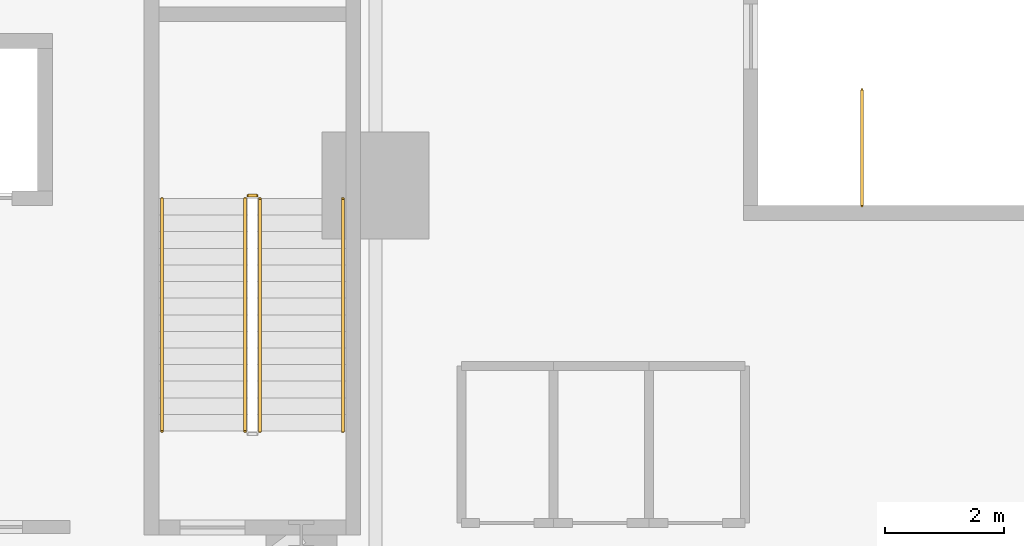
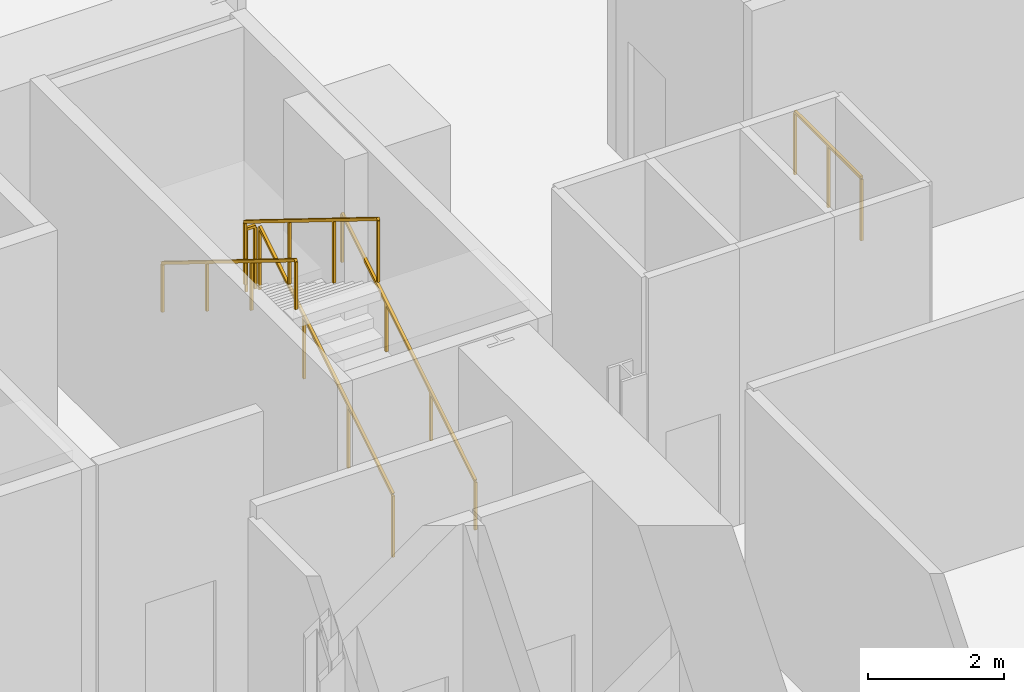
# One storey, part 13 of 13: 6 railings.
"""IFC4 building model written with IfcOpenShell, lengths in metres."""

from ifc_helpers import new_model, si_unit, direction, frame, origin, origin_2d, place, context, subcontext, project, spatial, rectangle, extrude, source, transform, mapped, material, type_object, element, save


model = new_model("IFC4")

# Units and contexts
model_context = context("Model", 3, precision=1e-05, world=origin(), true_north=direction((0.0, 1.0)))
body_context = subcontext(model_context, "Body", "Model", "MODEL_VIEW")
ifc_project = project(units=[si_unit("LENGTHUNIT", "METRE"), si_unit("AREAUNIT", "SQUARE_METRE"), si_unit("VOLUMEUNIT", "CUBIC_METRE"), si_unit("PLANEANGLEUNIT", "RADIAN"), si_unit("MASSUNIT", "GRAM", prefix="KILO")], contexts=[model_context])

# Site, building, storey
site_placement = place(None, origin())
site = spatial("IfcSite", under=ifc_project, at=site_placement, CompositionType="ELEMENT")
building_placement = place(site_placement, origin())
building = spatial("IfcBuilding", under=site, at=building_placement, Name="Vardaveli Station Tower", CompositionType="ELEMENT")
storey_placement = place(building_placement, frame((0.0, 0.0, 22.39990234375)))
storey = spatial("IfcBuildingStorey", under=building, at=storey_placement, Name="L05", CompositionType="ELEMENT", Elevation=22.39990234375)

# Railings
ifc_material = material(Name="Brushed AISI 316 stainless steel", Category="steel")
railing_type_1 = type_object("IfcRailingType", Name="RL-GUARD-1150", PredefinedType="GUARDRAIL", material=ifc_material)
shared_shape_1 = source(origin(), body_context, "Body", "SweptSolid", [
    extrude(rectangle(XDim=0.048095703125, YDim=0.048095703125, at=origin_2d()), frame((0.0, 0.0, 1.1259765625), z_axis=(-1.0, 0.0, 0.0), x_axis=(0.0, -1.0, 0.0)), (0.0, 0.0, 1.0), 0.14990234375),
    extrude(rectangle(XDim=0.0419921875, YDim=0.0419921875, at=origin_2d()), origin(), (0.0, 0.0, 1.0), 1.101806640625),
    extrude(rectangle(XDim=0.0419921875, YDim=0.0419921875, at=origin_2d()), frame((-0.14990234375, 0.0, 0.0)), (0.0, 0.0, 1.0), 1.101806640625),
])
railing_1_placement = place(storey_placement, frame((45.75, 36.3701171875, 2.60009765625)))
element("IfcRailing", 1, at=railing_1_placement, inside=storey, type_object=railing_type_1, Name="L05 ST-3 stair guard 2", PredefinedType="GUARDRAIL", context=body_context, shape_type="MappedRepresentation", body=[
    mapped(shared_shape_1, transform((0.0, 0.0, 0.0), scale=1.0)),
])
shared_shape_2 = source(origin(), body_context, "Body", "SweptSolid", [
    extrude(rectangle(XDim=0.048095703125, YDim=0.048095703125, at=origin_2d()), frame((0.0, 0.0, 1.1259765625), z_axis=(0.0, 0.850266275192, 0.526352791643), x_axis=(-1.0, 0.0, 0.0)), (0.0, 0.0, 1.0), 4.610595703125),
    extrude(rectangle(XDim=0.0419921875, YDim=0.0419921875, at=origin_2d()), origin(), (0.0, 0.0, 1.0), 1.101806640625),
    extrude(rectangle(XDim=0.0419921875, YDim=0.0419921875, at=origin_2d()), frame((0.0, 1.306640625, 0.808837890625)), (0.0, 0.0, 1.0), 1.101806640625),
    extrude(rectangle(XDim=0.0419921875, YDim=0.0419921875, at=origin_2d()), frame((0.0, 2.613525390625, 1.617919921875)), (0.0, 0.0, 1.0), 1.101806640625),
    extrude(rectangle(XDim=0.0419921875, YDim=0.0419921875, at=origin_2d()), frame((0.0, 3.920166015625, 2.4267578125)), (0.0, 0.0, 1.0), 1.101806640625),
])
railing_2_placement = place(storey_placement, frame((45.800048828125, 32.39990234375, 0.17333984375)))
element("IfcRailing", 2, at=railing_2_placement, inside=storey, type_object=railing_type_1, Name="L05 ST-3 stair guard 1", PredefinedType="GUARDRAIL", context=body_context, shape_type="MappedRepresentation", body=[
    mapped(shared_shape_2, transform((0.0, 0.0, 0.0), scale=1.0)),
])
shared_shape_3 = source(origin(), body_context, "Body", "SweptSolid", [
    extrude(rectangle(XDim=0.048095703125, YDim=0.048095703125, at=origin_2d()), frame((0.0, 0.0, 1.1259765625), z_axis=(0.0, -0.850266275192, 0.526352791643), x_axis=(1.0, 0.0, 0.0)), (0.0, 0.0, 1.0), 4.610595703125),
    extrude(rectangle(XDim=0.0419921875, YDim=0.0419921875, at=origin_2d()), origin(), (0.0, 0.0, 1.0), 1.101806640625),
    extrude(rectangle(XDim=0.0419921875, YDim=0.0419921875, at=origin_2d()), frame((0.0, -1.306640625, 0.808837890625)), (0.0, 0.0, 1.0), 1.101806640625),
    extrude(rectangle(XDim=0.0419921875, YDim=0.0419921875, at=origin_2d()), frame((0.0, -2.613525390625, 1.617919921875)), (0.0, 0.0, 1.0), 1.101806640625),
    extrude(rectangle(XDim=0.0419921875, YDim=0.0419921875, at=origin_2d()), frame((0.0, -3.920166015625, 2.4267578125)), (0.0, 0.0, 1.0), 1.101806640625),
])
railing_3_placement = place(storey_placement, frame((45.550048828125, 36.320068359375, 2.7734375)))
element("IfcRailing", 3, at=railing_3_placement, inside=storey, type_object=railing_type_1, Name="L05 ST-3 stair guard 3", PredefinedType="GUARDRAIL", context=body_context, shape_type="MappedRepresentation", body=[
    mapped(shared_shape_3, transform((0.0, 0.0, 0.0), scale=1.0)),
])
railing_type_2 = type_object("IfcRailingType", Name="RL-HAND-900", PredefinedType="HANDRAIL", material=ifc_material)
shared_shape_4 = source(origin(), body_context, "Body", "SweptSolid", [
    extrude(rectangle(XDim=0.048095703125, YDim=0.048095703125, at=origin_2d()), frame((0.0, 0.0, 0.8759765625), z_axis=(0.0, 0.850266275192, 0.526352791643), x_axis=(-1.0, 0.0, 0.0)), (0.0, 0.0, 1.0), 4.610595703125),
    extrude(rectangle(XDim=0.0419921875, YDim=0.0419921875, at=origin_2d()), origin(), (0.0, 0.0, 1.0), 0.851806640625),
    extrude(rectangle(XDim=0.0419921875, YDim=0.0419921875, at=origin_2d()), frame((0.0, 1.306640625, 0.808837890625)), (0.0, 0.0, 1.0), 0.851806640625),
    extrude(rectangle(XDim=0.0419921875, YDim=0.0419921875, at=origin_2d()), frame((0.0, 2.613525390625, 1.617919921875)), (0.0, 0.0, 1.0), 0.851806640625),
    extrude(rectangle(XDim=0.0419921875, YDim=0.0419921875, at=origin_2d()), frame((0.0, 3.920166015625, 2.4267578125)), (0.0, 0.0, 1.0), 0.851806640625),
])
railing_4_placement = place(storey_placement, frame((47.199951171875, 32.39990234375, 0.17333984375)))
element("IfcRailing", 4, at=railing_4_placement, inside=storey, type_object=railing_type_2, Name="L05 ST-3 stair handrail 1", PredefinedType="HANDRAIL", context=body_context, shape_type="MappedRepresentation", body=[
    mapped(shared_shape_4, transform((0.0, 0.0, 0.0), scale=1.0)),
])
shared_shape_5 = source(origin(), body_context, "Body", "SweptSolid", [
    extrude(rectangle(XDim=0.048095703125, YDim=0.048095703125, at=origin_2d()), frame((0.0, 0.0, 0.8759765625), z_axis=(0.0, -0.850266275192, 0.526352791643), x_axis=(1.0, 0.0, 0.0)), (0.0, 0.0, 1.0), 4.610595703125),
    extrude(rectangle(XDim=0.0419921875, YDim=0.0419921875, at=origin_2d()), origin(), (0.0, 0.0, 1.0), 0.851806640625),
    extrude(rectangle(XDim=0.0419921875, YDim=0.0419921875, at=origin_2d()), frame((0.0, -1.306640625, 0.808837890625)), (0.0, 0.0, 1.0), 0.851806640625),
    extrude(rectangle(XDim=0.0419921875, YDim=0.0419921875, at=origin_2d()), frame((0.0, -2.613525390625, 1.617919921875)), (0.0, 0.0, 1.0), 0.851806640625),
    extrude(rectangle(XDim=0.0419921875, YDim=0.0419921875, at=origin_2d()), frame((0.0, -3.920166015625, 2.4267578125)), (0.0, 0.0, 1.0), 0.851806640625),
])
railing_5_placement = place(storey_placement, frame((44.14990234375, 36.320068359375, 2.7734375)))
element("IfcRailing", 5, at=railing_5_placement, inside=storey, type_object=railing_type_2, Name="L05 ST-3 stair handrail 2", PredefinedType="HANDRAIL", context=body_context, shape_type="MappedRepresentation", body=[
    mapped(shared_shape_5, transform((0.0, 0.0, 0.0), scale=1.0)),
])
shared_shape_6 = source(origin(), body_context, "Body", "SweptSolid", [
    extrude(rectangle(XDim=0.048095703125, YDim=0.048095703125, at=origin_2d()), frame((0.0, 0.0, 1.1259765625), z_axis=(0.0, 1.0, 0.0), x_axis=(-1.0, 0.0, 0.0)), (0.0, 0.0, 1.0), 1.949951171875),
    extrude(rectangle(XDim=0.0419921875, YDim=0.0419921875, at=origin_2d()), origin(), (0.0, 0.0, 1.0), 1.101806640625),
    extrude(rectangle(XDim=0.0419921875, YDim=0.0419921875, at=origin_2d()), frame((0.0, 0.97509765625, 0.0)), (0.0, 0.0, 1.0), 1.101806640625),
    extrude(rectangle(XDim=0.0419921875, YDim=0.0419921875, at=origin_2d()), frame((0.0, 1.949951171875, 0.0)), (0.0, 0.0, 1.0), 1.101806640625),
])
railing_6_placement = place(storey_placement, frame((55.949951171875, 36.199951171875, 0.0)))
element("IfcRailing", 6, at=railing_6_placement, inside=storey, type_object=railing_type_1, Name="L05 ST-P2 top well guard 1", PredefinedType="GUARDRAIL", context=body_context, shape_type="MappedRepresentation", body=[
    mapped(shared_shape_6, transform((0.0, 0.0, 0.0), scale=1.0)),
])

save(model, "model.ifc")
